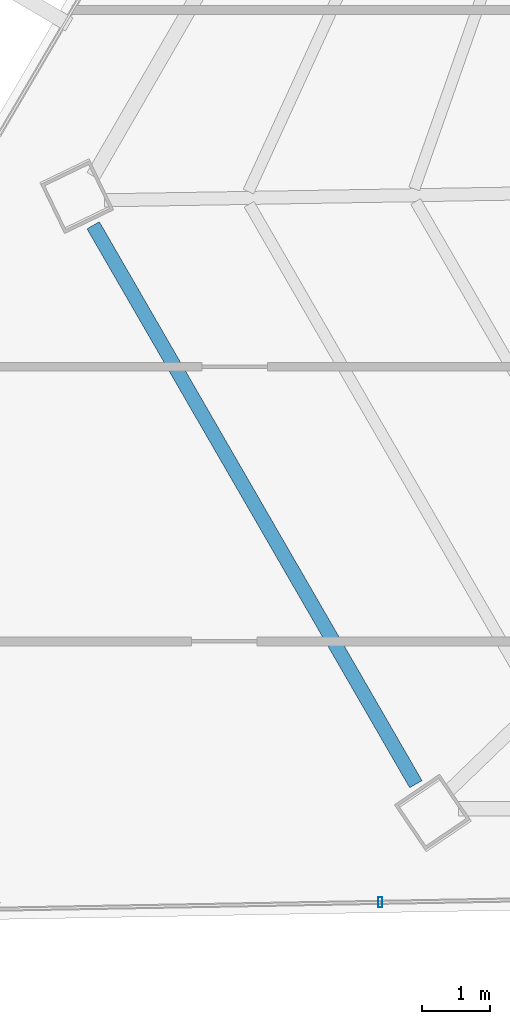
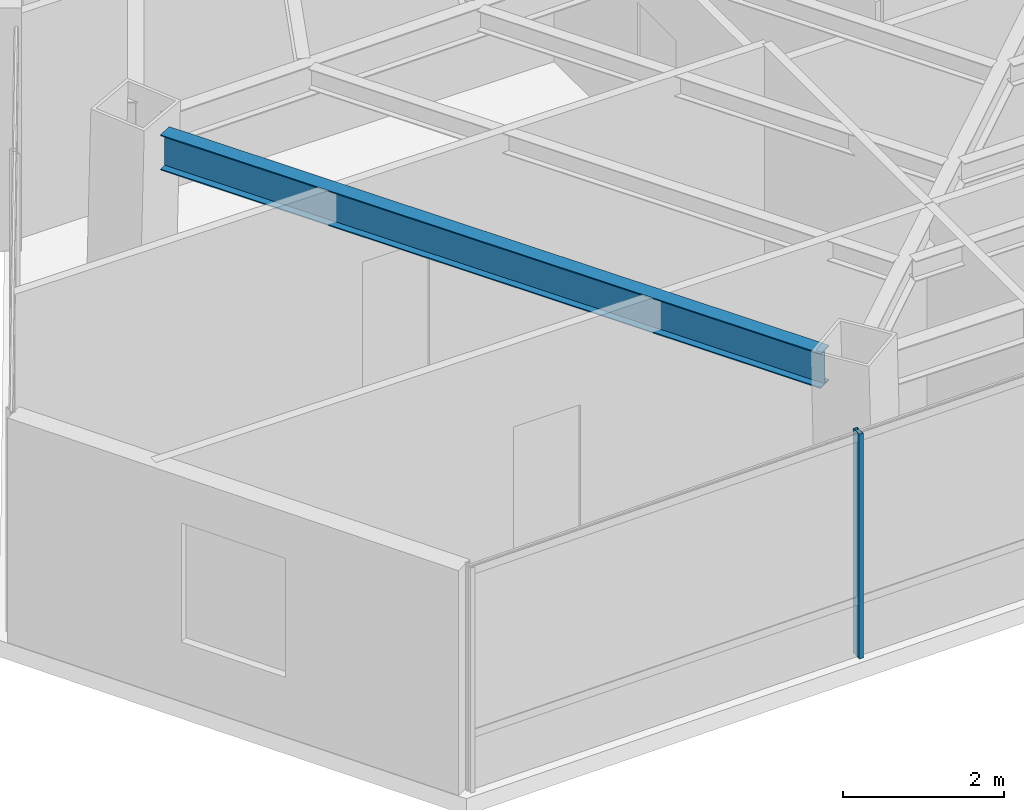
# One storey, part 4 of 44: 1 beam, 1 member, 1 element without a shape of its own.
"""IFC4 building model written with IfcOpenShell, lengths in metres."""

from ifc_helpers import new_model, si_unit, direction, frame, origin, origin_2d, place, context, subcontext, project, spatial, hollow_rectangle, i_section, extrude, source, transform, mapped, material, material_profile, profile_set, type_object, type_shapes, element, aggregate, save


model = new_model("IFC4")

# Units and contexts
model_context = context("Model", 3, precision=1e-05, world=origin(), true_north=direction((0.0, 1.0)))
body_context = subcontext(model_context, "Body", "Model", "MODEL_VIEW")
ifc_project = project(units=[si_unit("LENGTHUNIT", "METRE"), si_unit("AREAUNIT", "SQUARE_METRE"), si_unit("VOLUMEUNIT", "CUBIC_METRE"), si_unit("PLANEANGLEUNIT", "RADIAN"), si_unit("MASSUNIT", "GRAM", prefix="KILO")], contexts=[model_context])

# Site, building, storey
site_placement = place(None, origin())
site = spatial("IfcSite", under=ifc_project, at=site_placement, CompositionType="ELEMENT")
building_placement = place(site_placement, origin())
building = spatial("IfcBuilding", under=site, at=building_placement, Name="Caelisora Broadcast Tower", CompositionType="ELEMENT")
storey_placement = place(building_placement, frame((0.0, 0.0, 198.64990234375)))
storey = spatial("IfcBuildingStorey", under=building, at=storey_placement, Name="L52", CompositionType="ELEMENT", Elevation=198.64990234375)

# Beam
ifc_material_1 = material(Name="Steel Grade 350 (AS/NZS 3679.1)", Category="steel")
ifc_material_profile_1 = material_profile(ifc_material_1, i_section(OverallWidth=0.208984375, OverallDepth=0.532958984375, WebThickness=0.01025390625, FlangeThickness=0.015625, at=origin_2d()), Name="Steel Grade 350 (AS/NZS 3679.1)")
ifc_profile_set_1 = profile_set([ifc_material_profile_1], Name="Steel Grade 350 (AS/NZS 3679.1)")
beam_type = type_object("IfcBeamType", Name="PG05", PredefinedType="BEAM", material=ifc_profile_set_1)
shared_shape_1 = source(origin(), body_context, "Body", "SweptSolid", [
    extrude(i_section(OverallWidth=0.208984375, OverallDepth=0.532958984375, WebThickness=0.01025390625, FlangeThickness=0.015625, at=origin_2d()), origin(), (0.0, 0.0, 1.0), 9.444580078125),
])
type_shapes(beam_type, [shared_shape_1])
beam_placement = place(storey_placement, frame((16.08447265625, 16.7998046875, 3.133544921875), z_axis=(0.500011851064, -0.866018561461, 0.0), x_axis=(0.866018561461, 0.500011851064, 0.0)))
element("IfcBeam", 1, at=beam_placement, inside=storey, type_object=beam_type, Name="L52 beam PG05", PredefinedType="BEAM", context=body_context, shape_type="MappedRepresentation", body=[
    mapped(shared_shape_1, transform((0.0, 0.0, 0.0), scale=1.0)),
])

# Curtain wall, member
ifc_material_2 = material(Name="Unitised Aluminium and Low-E Glass Curtain Wall", Category="glass")
curtain_wall_type = type_object("IfcCurtainWallType", Name="CW-Z4", PredefinedType="NOTDEFINED", material=ifc_material_2)
curtain_wall_placement = place(storey_placement, origin())
curtain_wall = element("IfcCurtainWall", 2, at=curtain_wall_placement, inside=storey, type_object=curtain_wall_type, Name="L52 curtain wall CW-Z4", PredefinedType="NOTDEFINED")
ifc_material_3 = material(Name="Aluminium 6063-T6 Anodised Terracotta Bronze", Category="aluminium")
ifc_material_profile_2 = material_profile(ifc_material_3, hollow_rectangle(XDim=0.06005859375, YDim=0.14990234375, WallThickness=0.00341796875, at=origin_2d()), Name="Aluminium 6063-T6 Anodised Terracotta Bronze")
ifc_profile_set_2 = profile_set([ifc_material_profile_2], Name="Aluminium 6063-T6 Anodised Terracotta Bronze")
member_type = type_object("IfcMemberType", Name="CWM-03", PredefinedType="MULLION", material=ifc_profile_set_2)
shared_shape_2 = source(origin(), body_context, "Body", "SweptSolid", [
    extrude(hollow_rectangle(XDim=0.06005859375, YDim=0.14990234375, WallThickness=0.00341796875, at=origin_2d()), origin(), (0.0, 0.0, 1.0), 3.400146484375),
])
type_shapes(member_type, [shared_shape_2])
member_placement = place(storey_placement, frame((20.286376953125, 6.890869140625, 0.0), z_axis=(0.0, 0.0, 1.0), x_axis=(1.0, 0.0, 0.0)))
member = element("IfcMember", 3, at=member_placement, type_object=member_type, Name="L52-CW-B07 mullion #2", PredefinedType="MULLION", context=body_context, shape_type="MappedRepresentation", body=[
    mapped(shared_shape_2, transform((0.0, 0.0, 0.0), scale=1.0)),
])
aggregate(curtain_wall, [member])

save(model, "model.ifc")
